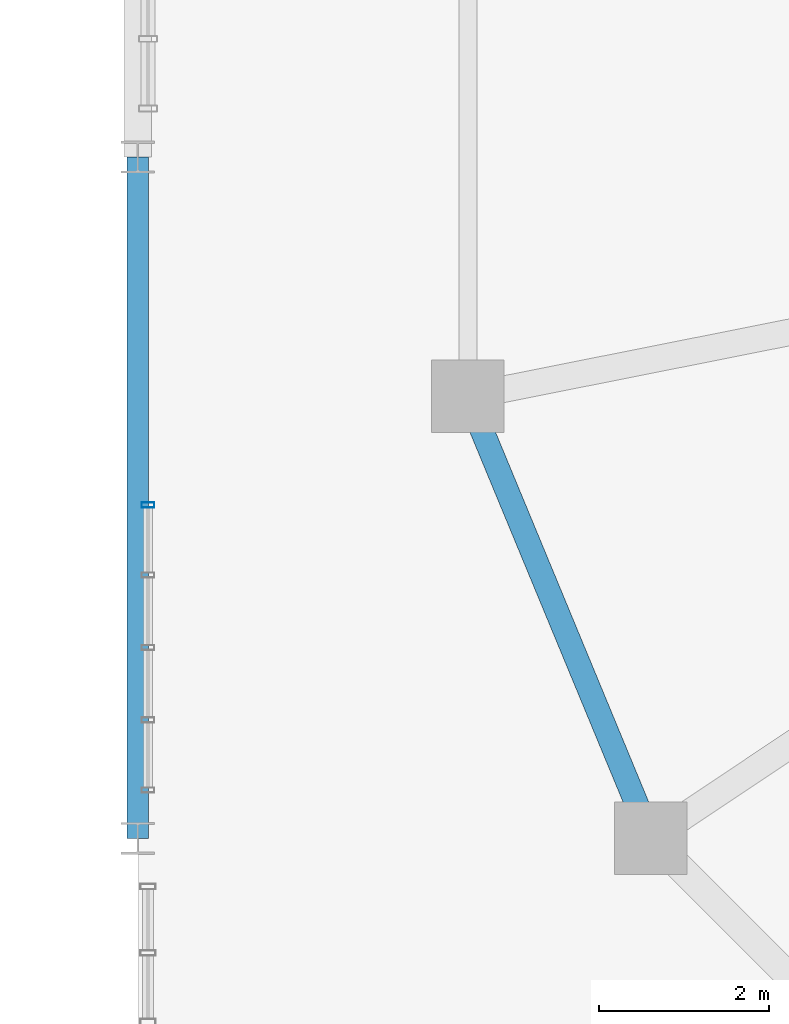
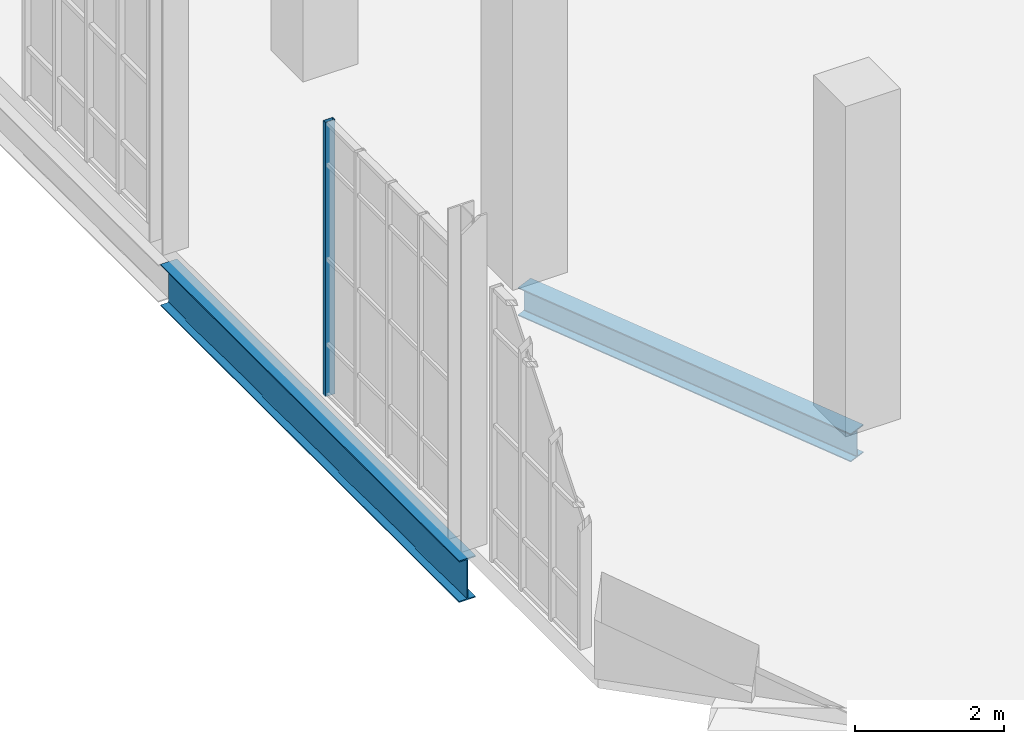
# One storey, part 33 of 189: 2 beams, 1 member, 1 element without a shape of its own.
"""IFC4 building model written with IfcOpenShell, lengths in metres."""

from ifc_helpers import new_model, si_unit, direction, frame, origin, origin_2d, place, context, subcontext, project, spatial, hollow_rectangle, i_section, extrude, material, layer, layer_set, material_profile, profile_set, type_object, element, aggregate, save


model = new_model("IFC4")

# Units and contexts
model_context = context("Model", 3, precision=1e-05, world=origin(), true_north=direction((0.0, 1.0)))
body_context = subcontext(model_context, "Body", "Model", "MODEL_VIEW")
ifc_project = project(units=[si_unit("LENGTHUNIT", "METRE"), si_unit("AREAUNIT", "SQUARE_METRE"), si_unit("VOLUMEUNIT", "CUBIC_METRE"), si_unit("PLANEANGLEUNIT", "RADIAN"), si_unit("MASSUNIT", "GRAM", prefix="KILO"), si_unit("THERMODYNAMICTEMPERATUREUNIT", "KELVIN"), si_unit("POWERUNIT", "WATT")], contexts=[model_context])

# Site, building, storey
site_placement = place(None, origin())
site = spatial("IfcSite", under=ifc_project, at=site_placement, CompositionType="ELEMENT")
building_placement = place(site_placement, origin())
building = spatial("IfcBuilding", under=site, at=building_placement, Name="Zelmaris Science Centre", CompositionType="ELEMENT")
storey_placement = place(building_placement, origin())
storey = spatial("IfcBuildingStorey", under=building, at=storey_placement, Name="L00", CompositionType="ELEMENT", Elevation=0.0)

# Curtain wall, member
ifc_material_1 = material(Name="Anodised architectural aluminium 6063-T6", Category="aluminium")
ifc_layer = layer(ifc_material_1, 0.219970703125, Name="Anodised architectural aluminium 6063-T6")
ifc_layer_set = layer_set([ifc_layer], Name="Anodised architectural aluminium 6063-T6")
curtain_wall_type = type_object("IfcCurtainWallType", Name="Curtain Wall CW-04", PredefinedType="USERDEFINED", material=ifc_layer_set)
curtain_wall_placement = place(storey_placement, origin())
curtain_wall = element("IfcCurtainWall", 1, at=curtain_wall_placement, inside=storey, type_object=curtain_wall_type, Name="L00 Unitised curtain wall 12", ObjectType="GLAZED CURTAIN WALL", PredefinedType="USERDEFINED")
ifc_material_profile_1 = material_profile(ifc_material_1, hollow_rectangle(XDim=0.06005859375, YDim=0.14990234375, WallThickness=0.00341796875, at=origin_2d()), Name="ALU-MUL-60X150")
ifc_profile_set_1 = profile_set([ifc_material_profile_1], Name="Anodised architectural aluminium 6063-T6")
member_type = type_object("IfcMemberType", Name="ALU-MUL-60X150", PredefinedType="MULLION", material=ifc_profile_set_1)
member_placement = place(storey_placement, frame((9.1201171875, 67.9140625, -0.014892578125), z_axis=(0.0, 0.0, 1.0), x_axis=(0.0, 1.0, 0.0)))
member = element("IfcMember", 2, at=member_placement, type_object=member_type, Name="CW-04 mullion 5", PredefinedType="MULLION", context=body_context, shape_type="SweptSolid", body=[
    extrude(hollow_rectangle(XDim=0.06005859375, YDim=0.14990234375, WallThickness=0.00341796875, at=origin_2d()), origin(), (0.0, 0.0, 1.0), 4.48779296875),
])
aggregate(curtain_wall, [member])

# Beams
ifc_material_2 = material(Name="Steel ASTM A992 Grade 50", Category="steel")
ifc_material_profile_2 = material_profile(ifc_material_2, i_section(OverallWidth=0.25390625, OverallDepth=0.68310546875, WebThickness=0.012451171875, FlangeThickness=0.018798828125, FilletRadius=0.01806640625, at=origin_2d()), Name="W27X94")
ifc_profile_set_2 = profile_set([ifc_material_profile_2], Name="Steel ASTM A992 Grade 50")
beam_type_1 = type_object("IfcBeamType", Name="Beam G-13 W27X94", PredefinedType="BEAM", material=ifc_profile_set_2)
beam_1_placement = place(storey_placement, frame((9.0, 64.0, -0.62158203125), z_axis=(0.0, 1.0, 0.0), x_axis=(-1.0, 0.0, 0.0)))
element("IfcBeam", 3, at=beam_1_placement, inside=storey, type_object=beam_type_1, Name="L00 North-south girder 7", PredefinedType="BEAM", context=body_context, shape_type="SweptSolid", body=[
    extrude(i_section(OverallWidth=0.25390625, OverallDepth=0.68310546875, WebThickness=0.012451171875, FlangeThickness=0.018798828125, FilletRadius=0.01806640625, at=origin_2d()), origin(), (0.0, 0.0, 1.0), 8.0),
])
ifc_material_profile_3 = material_profile(ifc_material_2, i_section(OverallWidth=0.279052734375, OverallDepth=0.4619140625, WebThickness=0.0107421875, FlangeThickness=0.017333984375, FilletRadius=0.012939453125, at=origin_2d()), Name="W18X76")
ifc_profile_set_3 = profile_set([ifc_material_profile_3], Name="Steel ASTM A992 Grade 50")
beam_type_2 = type_object("IfcBeamType", Name="Beam SP-03 W18X76", PredefinedType="SPANDREL", material=ifc_profile_set_3)
beam_2_placement = place(storey_placement, frame((12.876708984375, 69.190673828125, -0.510986328125), z_axis=(0.38268310735, -0.923879667137, 0.0), x_axis=(0.923879667137, 0.38268310735, 0.0)))
element("IfcBeam", 4, at=beam_2_placement, inside=storey, type_object=beam_type_2, Name="L00 Planetarium drum ring beam 9", PredefinedType="SPANDREL", context=body_context, shape_type="SweptSolid", body=[
    extrude(i_section(OverallWidth=0.279052734375, OverallDepth=0.4619140625, WebThickness=0.0107421875, FlangeThickness=0.017333984375, FilletRadius=0.012939453125, at=origin_2d()), origin(), (0.0, 0.0, 1.0), 5.61865234375),
])

save(model, "model.ifc")
